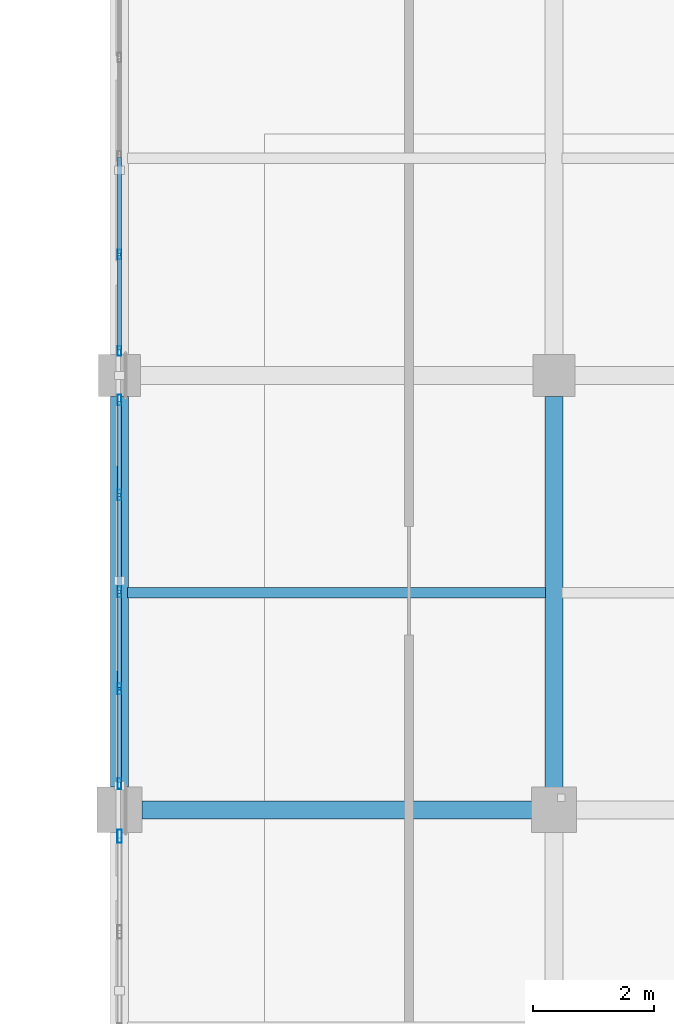
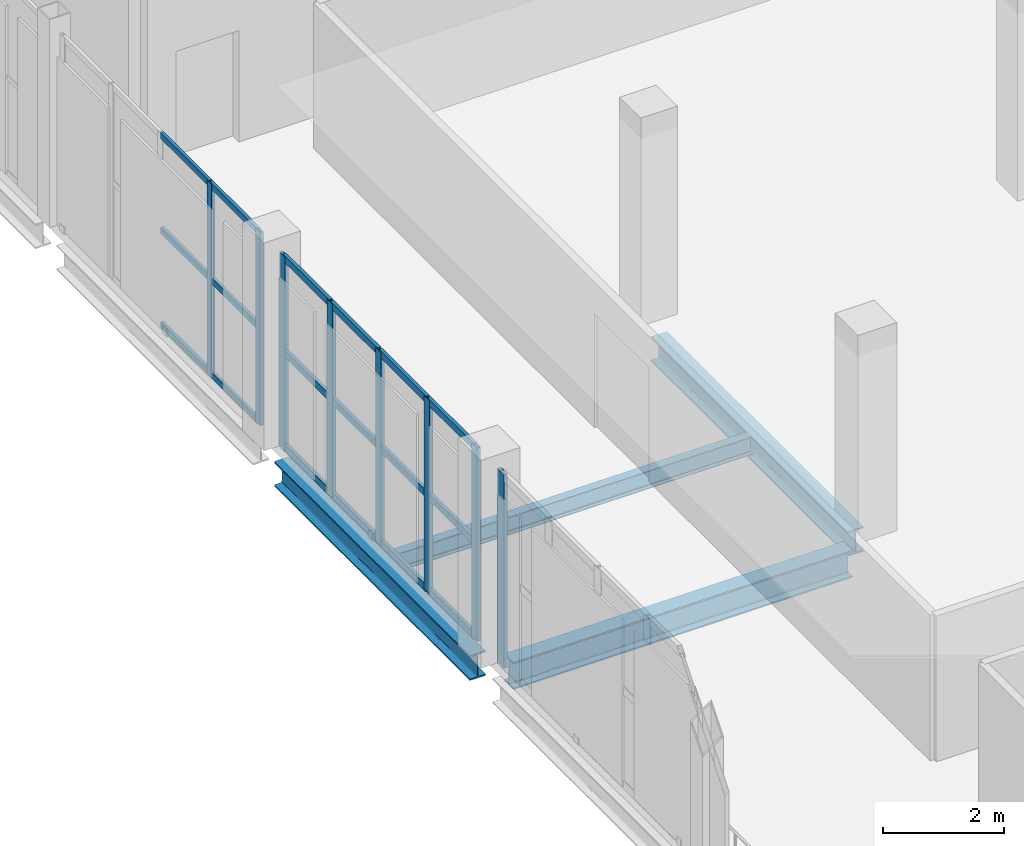
# One storey, part 75 of 130: 26 members, 4 beams, 3 elements without a shape of their own.
"""IFC4 building model written with IfcOpenShell, lengths in metres."""

from ifc_helpers import new_model, si_unit, direction, frame, origin, origin_2d, place, context, subcontext, project, spatial, hollow_rectangle, i_section, extrude, material, material_profile, profile_set, type_object, element, aggregate, save


model = new_model("IFC4")

# Units and contexts
model_context = context("Model", 3, precision=1e-05, world=origin(), true_north=direction((0.0, 1.0)))
body_context = subcontext(model_context, "Body", "Model", "MODEL_VIEW")
ifc_project = project(units=[si_unit("LENGTHUNIT", "METRE"), si_unit("AREAUNIT", "SQUARE_METRE"), si_unit("VOLUMEUNIT", "CUBIC_METRE"), si_unit("PLANEANGLEUNIT", "RADIAN"), si_unit("MASSUNIT", "GRAM", prefix="KILO")], contexts=[model_context])

# Site, building, storey
site_placement = place(None, origin())
site = spatial("IfcSite", under=ifc_project, at=site_placement, CompositionType="ELEMENT")
building_placement = place(site_placement, origin())
building = spatial("IfcBuilding", under=site, at=building_placement, Name="Qandorah Velis Arena", CompositionType="ELEMENT")
storey_placement = place(building_placement, frame((0.0, 0.0, 9.60009765625)))
storey = spatial("IfcBuildingStorey", under=building, at=storey_placement, Name="L02", CompositionType="ELEMENT", Elevation=9.60009765625)

# Curtain wall, members
ifc_material_1 = material(Name="Solar-control low-E double glazing", Category="glass")
curtain_wall_type_1 = type_object("IfcCurtainWallType", Name="ARC-CW-SYS07", PredefinedType="USERDEFINED", material=ifc_material_1)
curtain_wall_1_placement = place(storey_placement, origin())
curtain_wall_1 = element("IfcCurtainWall", 1, at=curtain_wall_1_placement, inside=storey, type_object=curtain_wall_type_1, Name="Unitised curtain wall L02-127", ObjectType="UNITISED CURTAIN WALL", PredefinedType="USERDEFINED")
ifc_material_2 = material(Name="Champagne-bronze anodized aluminium 6063-T6", Category="aluminium")
ifc_material_profile_1 = material_profile(ifc_material_2, hollow_rectangle(XDim=0.06005859375, YDim=0.159912109375, WallThickness=0.00341796875, at=origin_2d()), Name="ALU MULLION 60x160")
ifc_profile_set_1 = profile_set([ifc_material_profile_1], Name="Champagne-bronze anodized aluminium 6063-T6")
member_type_1 = type_object("IfcMemberType", Name="ARC-CWM-160", PredefinedType="MULLION", material=ifc_profile_set_1)
member_1_placement = place(storey_placement, frame((151.199951171875, 72.405029296875, -0.01513671875), z_axis=(0.0, 0.0, 1.0), x_axis=(-1.0, 0.0, 0.0)))
member_1 = element("IfcMember", 2, at=member_1_placement, type_object=member_type_1, Name="CW07 mullion 1", PredefinedType="MULLION", context=body_context, shape_type="SweptSolid", body=[
    extrude(hollow_rectangle(XDim=0.06005859375, YDim=0.159912109375, WallThickness=0.00341796875, at=origin_2d()), origin(), (0.0, 0.0, 1.0), 3.91015625),
])
member_2_placement = place(storey_placement, frame((151.199951171875, 74.00634765625, -0.01513671875), z_axis=(0.0, 0.0, 1.0), x_axis=(-1.0, 0.0, 0.0)))
member_2 = element("IfcMember", 3, at=member_2_placement, type_object=member_type_1, Name="CW07 mullion 2", PredefinedType="MULLION", context=body_context, shape_type="SweptSolid", body=[
    extrude(hollow_rectangle(XDim=0.06005859375, YDim=0.159912109375, WallThickness=0.00341796875, at=origin_2d()), origin(), (0.0, 0.0, 1.0), 3.91015625),
])

curtain_wall_type_2 = type_object("IfcCurtainWallType", Name="ARC-CW-SYS06", PredefinedType="USERDEFINED", material=ifc_material_1)
curtain_wall_2_placement = place(storey_placement, origin())
curtain_wall_2 = element("IfcCurtainWall", 4, at=curtain_wall_2_placement, inside=storey, type_object=curtain_wall_type_2, Name="Unitised curtain wall L02-126", ObjectType="UNITISED CURTAIN WALL", PredefinedType="USERDEFINED")
ifc_material_profile_2 = material_profile(ifc_material_2, hollow_rectangle(XDim=0.06494140625, YDim=0.179931640625, WallThickness=0.00341796875, at=origin_2d()), Name="ALU MULLION 65x180")
ifc_profile_set_2 = profile_set([ifc_material_profile_2], Name="Champagne-bronze anodized aluminium 6063-T6")
member_type_2 = type_object("IfcMemberType", Name="ARC-CWM-180", PredefinedType="MULLION", material=ifc_profile_set_2)
member_3_placement = place(storey_placement, frame((151.199951171875, 65.232421875, -0.01513671875), z_axis=(0.0, 0.0, 1.0), x_axis=(-1.0, 0.0, 0.0)))
member_3 = element("IfcMember", 5, at=member_3_placement, type_object=member_type_2, Name="CW06 mullion 1", PredefinedType="MULLION", context=body_context, shape_type="SweptSolid", body=[
    extrude(hollow_rectangle(XDim=0.06494140625, YDim=0.179931640625, WallThickness=0.00341796875, at=origin_2d()), origin(), (0.0, 0.0, 1.0), 3.91015625),
])
member_4_placement = place(storey_placement, frame((151.199951171875, 66.80615234375, -0.01513671875), z_axis=(0.0, 0.0, 1.0), x_axis=(-1.0, 0.0, 0.0)))
member_4 = element("IfcMember", 6, at=member_4_placement, type_object=member_type_2, Name="CW06 mullion 2", PredefinedType="MULLION", context=body_context, shape_type="SweptSolid", body=[
    extrude(hollow_rectangle(XDim=0.06494140625, YDim=0.179931640625, WallThickness=0.00341796875, at=origin_2d()), origin(), (0.0, 0.0, 1.0), 3.91015625),
])
member_5_placement = place(storey_placement, frame((151.199951171875, 68.41259765625, -0.01513671875), z_axis=(0.0, 0.0, 1.0), x_axis=(-1.0, 0.0, 0.0)))
member_5 = element("IfcMember", 7, at=member_5_placement, type_object=member_type_2, Name="CW06 mullion 3", PredefinedType="MULLION", context=body_context, shape_type="SweptSolid", body=[
    extrude(hollow_rectangle(XDim=0.06494140625, YDim=0.179931640625, WallThickness=0.00341796875, at=origin_2d()), origin(), (0.0, 0.0, 1.0), 3.91015625),
])
member_6_placement = place(storey_placement, frame((151.199951171875, 70.018798828125, -0.01513671875), z_axis=(0.0, 0.0, 1.0), x_axis=(-1.0, 0.0, 0.0)))
member_6 = element("IfcMember", 8, at=member_6_placement, type_object=member_type_2, Name="CW06 mullion 4", PredefinedType="MULLION", context=body_context, shape_type="SweptSolid", body=[
    extrude(hollow_rectangle(XDim=0.06494140625, YDim=0.179931640625, WallThickness=0.00341796875, at=origin_2d()), origin(), (0.0, 0.0, 1.0), 3.91015625),
])
member_7_placement = place(storey_placement, frame((151.199951171875, 71.592529296875, -0.01513671875), z_axis=(0.0, 0.0, 1.0), x_axis=(-1.0, 0.0, 0.0)))
member_7 = element("IfcMember", 9, at=member_7_placement, type_object=member_type_2, Name="CW06 mullion 5", PredefinedType="MULLION", context=body_context, shape_type="SweptSolid", body=[
    extrude(hollow_rectangle(XDim=0.06494140625, YDim=0.179931640625, WallThickness=0.00341796875, at=origin_2d()), origin(), (0.0, 0.0, 1.0), 3.91015625),
])

# Curtain wall, member
curtain_wall_type_3 = type_object("IfcCurtainWallType", Name="ARC-CW-SYS05", PredefinedType="USERDEFINED", material=ifc_material_1)
curtain_wall_3_placement = place(storey_placement, origin())
curtain_wall_3 = element("IfcCurtainWall", 10, at=curtain_wall_3_placement, inside=storey, type_object=curtain_wall_type_3, Name="Unitised curtain wall L02-125", ObjectType="UNITISED CURTAIN WALL", PredefinedType="USERDEFINED")
ifc_material_profile_3 = material_profile(ifc_material_2, hollow_rectangle(XDim=0.074951171875, YDim=0.219970703125, WallThickness=0.00390625, at=origin_2d()), Name="ALU MULLION 75x220")
ifc_profile_set_3 = profile_set([ifc_material_profile_3], Name="Champagne-bronze anodized aluminium 6063-T6")
member_type_3 = type_object("IfcMemberType", Name="ARC-CWM-220", PredefinedType="MULLION", material=ifc_profile_set_3)
member_8_placement = place(storey_placement, frame((151.199951171875, 64.362548828125, -0.01513671875), z_axis=(0.0, 0.0, 1.0), x_axis=(-1.0, 0.0, 0.0)))
member_8 = element("IfcMember", 11, at=member_8_placement, type_object=member_type_3, Name="CW05 mullion 5", PredefinedType="MULLION", context=body_context, shape_type="SweptSolid", body=[
    extrude(hollow_rectangle(XDim=0.074951171875, YDim=0.219970703125, WallThickness=0.00390625, at=origin_2d()), origin(), (0.0, 0.0, 1.0), 3.91015625),
])
aggregate(curtain_wall_3, [member_8])

# Member
ifc_material_profile_4 = material_profile(ifc_material_2, hollow_rectangle(XDim=0.06005859375, YDim=0.1201171875, WallThickness=0.0029296875, at=origin_2d()), Name="ALU TRANSOM 60x120")
ifc_profile_set_4 = profile_set([ifc_material_profile_4], Name="Champagne-bronze anodized aluminium 6063-T6")
member_type_4 = type_object("IfcMemberType", Name="ARC-CWT-120", PredefinedType="USERDEFINED", material=ifc_profile_set_4)
member_9_placement = place(storey_placement, frame((151.199951171875, 72.423095703125, 0.02978515625), z_axis=(0.0, 1.0, 0.0), x_axis=(-1.0, 0.0, 0.0)))
member_9 = element("IfcMember", 12, at=member_9_placement, type_object=member_type_4, Name="CW07 transom 1.1", ObjectType="TRANSOM", PredefinedType="USERDEFINED", context=body_context, shape_type="SweptSolid", body=[
    extrude(hollow_rectangle(XDim=0.06005859375, YDim=0.1201171875, WallThickness=0.0029296875, at=origin_2d()), origin(), (0.0, 0.0, 1.0), 1.565185546875),
])

member_10_placement = place(storey_placement, frame((151.199951171875, 72.423095703125, 1.93994140625), z_axis=(0.0, 1.0, 0.0), x_axis=(-1.0, 0.0, 0.0)))
member_10 = element("IfcMember", 13, at=member_10_placement, type_object=member_type_4, Name="CW07 transom 1.2", ObjectType="TRANSOM", PredefinedType="USERDEFINED", context=body_context, shape_type="SweptSolid", body=[
    extrude(hollow_rectangle(XDim=0.06005859375, YDim=0.1201171875, WallThickness=0.0029296875, at=origin_2d()), origin(), (0.0, 0.0, 1.0), 1.565185546875),
])

member_11_placement = place(storey_placement, frame((151.199951171875, 72.423095703125, 3.849853515625), z_axis=(0.0, 1.0, 0.0), x_axis=(-1.0, 0.0, 0.0)))
member_11 = element("IfcMember", 14, at=member_11_placement, type_object=member_type_4, Name="CW07 transom 1.3", ObjectType="TRANSOM", PredefinedType="USERDEFINED", context=body_context, shape_type="SweptSolid", body=[
    extrude(hollow_rectangle(XDim=0.06005859375, YDim=0.1201171875, WallThickness=0.0029296875, at=origin_2d()), origin(), (0.0, 0.0, 1.0), 1.565185546875),
])

member_12_placement = place(storey_placement, frame((151.199951171875, 74.024169921875, 0.02978515625), z_axis=(0.0, 1.0, 0.0), x_axis=(-1.0, 0.0, 0.0)))
member_12 = element("IfcMember", 15, at=member_12_placement, type_object=member_type_4, Name="CW07 transom 2.1", ObjectType="TRANSOM", PredefinedType="USERDEFINED", context=body_context, shape_type="SweptSolid", body=[
    extrude(hollow_rectangle(XDim=0.06005859375, YDim=0.1201171875, WallThickness=0.0029296875, at=origin_2d()), origin(), (0.0, 0.0, 1.0), 1.59521484375),
])

member_13_placement = place(storey_placement, frame((151.199951171875, 74.024169921875, 1.93994140625), z_axis=(0.0, 1.0, 0.0), x_axis=(-1.0, 0.0, 0.0)))
member_13 = element("IfcMember", 16, at=member_13_placement, type_object=member_type_4, Name="CW07 transom 2.2", ObjectType="TRANSOM", PredefinedType="USERDEFINED", context=body_context, shape_type="SweptSolid", body=[
    extrude(hollow_rectangle(XDim=0.06005859375, YDim=0.1201171875, WallThickness=0.0029296875, at=origin_2d()), origin(), (0.0, 0.0, 1.0), 1.59521484375),
])

member_14_placement = place(storey_placement, frame((151.199951171875, 74.024169921875, 3.849853515625), z_axis=(0.0, 1.0, 0.0), x_axis=(-1.0, 0.0, 0.0)))
member_14 = element("IfcMember", 17, at=member_14_placement, type_object=member_type_4, Name="CW07 transom 2.3", ObjectType="TRANSOM", PredefinedType="USERDEFINED", context=body_context, shape_type="SweptSolid", body=[
    extrude(hollow_rectangle(XDim=0.06005859375, YDim=0.1201171875, WallThickness=0.0029296875, at=origin_2d()), origin(), (0.0, 0.0, 1.0), 1.59521484375),
])

aggregate(curtain_wall_1, [member_1, member_2, member_9, member_10, member_11, member_12, member_13, member_14])

ifc_material_profile_5 = material_profile(ifc_material_2, hollow_rectangle(XDim=0.06494140625, YDim=0.139892578125, WallThickness=0.0029296875, at=origin_2d()), Name="ALU TRANSOM 65x140")
ifc_profile_set_5 = profile_set([ifc_material_profile_5], Name="Champagne-bronze anodized aluminium 6063-T6")
member_type_5 = type_object("IfcMemberType", Name="ARC-CWT-140", PredefinedType="USERDEFINED", material=ifc_profile_set_5)
member_15_placement = place(storey_placement, frame((151.199951171875, 65.2529296875, 0.032470703125), z_axis=(0.0, 1.0, 0.0), x_axis=(-1.0, 0.0, 0.0)))
member_15 = element("IfcMember", 18, at=member_15_placement, type_object=member_type_5, Name="CW06 transom 1.1", ObjectType="TRANSOM", PredefinedType="USERDEFINED", context=body_context, shape_type="SweptSolid", body=[
    extrude(hollow_rectangle(XDim=0.06494140625, YDim=0.139892578125, WallThickness=0.0029296875, at=origin_2d()), origin(), (0.0, 0.0, 1.0), 1.532958984375),
])

member_16_placement = place(storey_placement, frame((151.199951171875, 65.2529296875, 1.93994140625), z_axis=(0.0, 1.0, 0.0), x_axis=(-1.0, 0.0, 0.0)))
member_16 = element("IfcMember", 19, at=member_16_placement, type_object=member_type_5, Name="CW06 transom 1.2", ObjectType="TRANSOM", PredefinedType="USERDEFINED", context=body_context, shape_type="SweptSolid", body=[
    extrude(hollow_rectangle(XDim=0.06494140625, YDim=0.139892578125, WallThickness=0.0029296875, at=origin_2d()), origin(), (0.0, 0.0, 1.0), 1.532958984375),
])

member_17_placement = place(storey_placement, frame((151.199951171875, 65.2529296875, 3.847412109375), z_axis=(0.0, 1.0, 0.0), x_axis=(-1.0, 0.0, 0.0)))
member_17 = element("IfcMember", 20, at=member_17_placement, type_object=member_type_5, Name="CW06 transom 1.3", ObjectType="TRANSOM", PredefinedType="USERDEFINED", context=body_context, shape_type="SweptSolid", body=[
    extrude(hollow_rectangle(XDim=0.06494140625, YDim=0.139892578125, WallThickness=0.0029296875, at=origin_2d()), origin(), (0.0, 0.0, 1.0), 1.532958984375),
])

member_18_placement = place(storey_placement, frame((151.199951171875, 66.826904296875, 0.032470703125), z_axis=(0.0, 1.0, 0.0), x_axis=(-1.0, 0.0, 0.0)))
member_18 = element("IfcMember", 21, at=member_18_placement, type_object=member_type_5, Name="CW06 transom 2.1", ObjectType="TRANSOM", PredefinedType="USERDEFINED", context=body_context, shape_type="SweptSolid", body=[
    extrude(hollow_rectangle(XDim=0.06494140625, YDim=0.139892578125, WallThickness=0.0029296875, at=origin_2d()), origin(), (0.0, 0.0, 1.0), 1.565185546875),
])

member_19_placement = place(storey_placement, frame((151.199951171875, 66.826904296875, 1.93994140625), z_axis=(0.0, 1.0, 0.0), x_axis=(-1.0, 0.0, 0.0)))
member_19 = element("IfcMember", 22, at=member_19_placement, type_object=member_type_5, Name="CW06 transom 2.2", ObjectType="TRANSOM", PredefinedType="USERDEFINED", context=body_context, shape_type="SweptSolid", body=[
    extrude(hollow_rectangle(XDim=0.06494140625, YDim=0.139892578125, WallThickness=0.0029296875, at=origin_2d()), origin(), (0.0, 0.0, 1.0), 1.565185546875),
])

member_20_placement = place(storey_placement, frame((151.199951171875, 66.826904296875, 3.847412109375), z_axis=(0.0, 1.0, 0.0), x_axis=(-1.0, 0.0, 0.0)))
member_20 = element("IfcMember", 23, at=member_20_placement, type_object=member_type_5, Name="CW06 transom 2.3", ObjectType="TRANSOM", PredefinedType="USERDEFINED", context=body_context, shape_type="SweptSolid", body=[
    extrude(hollow_rectangle(XDim=0.06494140625, YDim=0.139892578125, WallThickness=0.0029296875, at=origin_2d()), origin(), (0.0, 0.0, 1.0), 1.565185546875),
])

member_21_placement = place(storey_placement, frame((151.199951171875, 68.43310546875, 0.032470703125), z_axis=(0.0, 1.0, 0.0), x_axis=(-1.0, 0.0, 0.0)))
member_21 = element("IfcMember", 24, at=member_21_placement, type_object=member_type_5, Name="CW06 transom 3.1", ObjectType="TRANSOM", PredefinedType="USERDEFINED", context=body_context, shape_type="SweptSolid", body=[
    extrude(hollow_rectangle(XDim=0.06494140625, YDim=0.139892578125, WallThickness=0.0029296875, at=origin_2d()), origin(), (0.0, 0.0, 1.0), 1.565185546875),
])

member_22_placement = place(storey_placement, frame((151.199951171875, 68.43310546875, 1.93994140625), z_axis=(0.0, 1.0, 0.0), x_axis=(-1.0, 0.0, 0.0)))
member_22 = element("IfcMember", 25, at=member_22_placement, type_object=member_type_5, Name="CW06 transom 3.2", ObjectType="TRANSOM", PredefinedType="USERDEFINED", context=body_context, shape_type="SweptSolid", body=[
    extrude(hollow_rectangle(XDim=0.06494140625, YDim=0.139892578125, WallThickness=0.0029296875, at=origin_2d()), origin(), (0.0, 0.0, 1.0), 1.565185546875),
])

member_23_placement = place(storey_placement, frame((151.199951171875, 68.43310546875, 3.847412109375), z_axis=(0.0, 1.0, 0.0), x_axis=(-1.0, 0.0, 0.0)))
member_23 = element("IfcMember", 26, at=member_23_placement, type_object=member_type_5, Name="CW06 transom 3.3", ObjectType="TRANSOM", PredefinedType="USERDEFINED", context=body_context, shape_type="SweptSolid", body=[
    extrude(hollow_rectangle(XDim=0.06494140625, YDim=0.139892578125, WallThickness=0.0029296875, at=origin_2d()), origin(), (0.0, 0.0, 1.0), 1.565185546875),
])

member_24_placement = place(storey_placement, frame((151.199951171875, 70.039306640625, 0.032470703125), z_axis=(0.0, 1.0, 0.0), x_axis=(-1.0, 0.0, 0.0)))
member_24 = element("IfcMember", 27, at=member_24_placement, type_object=member_type_5, Name="CW06 transom 4.1", ObjectType="TRANSOM", PredefinedType="USERDEFINED", context=body_context, shape_type="SweptSolid", body=[
    extrude(hollow_rectangle(XDim=0.06494140625, YDim=0.139892578125, WallThickness=0.0029296875, at=origin_2d()), origin(), (0.0, 0.0, 1.0), 1.53271484375),
])

member_25_placement = place(storey_placement, frame((151.199951171875, 70.039306640625, 1.93994140625), z_axis=(0.0, 1.0, 0.0), x_axis=(-1.0, 0.0, 0.0)))
member_25 = element("IfcMember", 28, at=member_25_placement, type_object=member_type_5, Name="CW06 transom 4.2", ObjectType="TRANSOM", PredefinedType="USERDEFINED", context=body_context, shape_type="SweptSolid", body=[
    extrude(hollow_rectangle(XDim=0.06494140625, YDim=0.139892578125, WallThickness=0.0029296875, at=origin_2d()), origin(), (0.0, 0.0, 1.0), 1.53271484375),
])

member_26_placement = place(storey_placement, frame((151.199951171875, 70.039306640625, 3.847412109375), z_axis=(0.0, 1.0, 0.0), x_axis=(-1.0, 0.0, 0.0)))
member_26 = element("IfcMember", 29, at=member_26_placement, type_object=member_type_5, Name="CW06 transom 4.3", ObjectType="TRANSOM", PredefinedType="USERDEFINED", context=body_context, shape_type="SweptSolid", body=[
    extrude(hollow_rectangle(XDim=0.06494140625, YDim=0.139892578125, WallThickness=0.0029296875, at=origin_2d()), origin(), (0.0, 0.0, 1.0), 1.53271484375),
])

aggregate(curtain_wall_2, [member_3, member_4, member_5, member_6, member_7, member_15, member_16, member_17, member_18, member_19, member_20, member_21, member_22, member_23, member_24, member_25, member_26])

# Beams
ifc_material_3 = material(Name="Steel S355", Category="steel")
ifc_material_profile_6 = material_profile(ifc_material_3, i_section(OverallWidth=0.300048828125, OverallDepth=0.5, WebThickness=0.014404296875, FlangeThickness=0.028076171875, FilletRadius=0.027099609375, at=origin_2d()), Name="HEB 500")
ifc_profile_set_6 = profile_set([ifc_material_profile_6], Name="Steel S355")
beam_type_1 = type_object("IfcBeamType", Name="STR-BM-HEB500", PredefinedType="BEAM", material=ifc_profile_set_6)
beam_1_placement = place(storey_placement, frame((151.199951171875, 65.175048828125, -0.530029296875), z_axis=(0.0, 1.0, 0.0), x_axis=(-1.0, 0.0, 0.0)))
element("IfcBeam", 30, at=beam_1_placement, inside=storey, type_object=beam_type_1, Name="Primary floor girder L02 Y-335", PredefinedType="BEAM", context=body_context, shape_type="SweptSolid", body=[
    extrude(i_section(OverallWidth=0.300048828125, OverallDepth=0.5, WebThickness=0.014404296875, FlangeThickness=0.028076171875, FilletRadius=0.027099609375, at=origin_2d()), origin(), (0.0, 0.0, 1.0), 6.474853515625),
])
beam_2_placement = place(storey_placement, frame((158.39990234375, 65.14990234375, -0.530029296875), z_axis=(0.0, 1.0, 0.0), x_axis=(-1.0, 0.0, 0.0)))
element("IfcBeam", 31, at=beam_2_placement, inside=storey, type_object=beam_type_1, Name="Primary floor girder L02 Y-339", PredefinedType="BEAM", context=body_context, shape_type="SweptSolid", body=[
    extrude(i_section(OverallWidth=0.300048828125, OverallDepth=0.5, WebThickness=0.014404296875, FlangeThickness=0.028076171875, FilletRadius=0.027099609375, at=origin_2d()), origin(), (0.0, 0.0, 1.0), 6.5),
])
ifc_material_profile_7 = material_profile(ifc_material_3, i_section(OverallWidth=0.300048828125, OverallDepth=0.550048828125, WebThickness=0.014892578125, FlangeThickness=0.029052734375, FilletRadius=0.027099609375, at=origin_2d()), Name="HEB 550")
ifc_profile_set_7 = profile_set([ifc_material_profile_7], Name="Steel S355")
beam_type_2 = type_object("IfcBeamType", Name="STR-BM-HEB550", PredefinedType="BEAM", material=ifc_profile_set_7)
beam_3_placement = place(storey_placement, frame((151.574951171875, 64.800048828125, -0.55517578125), z_axis=(1.0, 0.0, 0.0), x_axis=(0.0, 1.0, 0.0)))
element("IfcBeam", 32, at=beam_3_placement, inside=storey, type_object=beam_type_2, Name="Primary floor girder L02 X-095", PredefinedType="BEAM", context=body_context, shape_type="SweptSolid", body=[
    extrude(i_section(OverallWidth=0.300048828125, OverallDepth=0.550048828125, WebThickness=0.014892578125, FlangeThickness=0.029052734375, FilletRadius=0.027099609375, at=origin_2d()), origin(), (0.0, 0.0, 1.0), 6.47509765625),
])
ifc_material_profile_8 = material_profile(ifc_material_3, i_section(OverallWidth=0.169921875, OverallDepth=0.360107421875, WebThickness=0.008056640625, FlangeThickness=0.0126953125, FilletRadius=0.01806640625, at=origin_2d()), Name="IPE 360")
ifc_profile_set_8 = profile_set([ifc_material_profile_8], Name="Steel S355")
beam_type_3 = type_object("IfcBeamType", Name="STR-JST-IPE360", PredefinedType="JOIST", material=ifc_profile_set_8)
beam_4_placement = place(storey_placement, frame((151.3349609375, 68.39990234375, -0.460205078125), z_axis=(1.0, 0.0, 0.0), x_axis=(0.0, 1.0, 0.0)))
element("IfcBeam", 33, at=beam_4_placement, inside=storey, type_object=beam_type_3, Name="Secondary floor joist L02-099", PredefinedType="JOIST", context=body_context, shape_type="SweptSolid", body=[
    extrude(i_section(OverallWidth=0.169921875, OverallDepth=0.360107421875, WebThickness=0.008056640625, FlangeThickness=0.0126953125, FilletRadius=0.01806640625, at=origin_2d()), origin(), (0.0, 0.0, 1.0), 6.929931640625),
])

save(model, "model.ifc")
